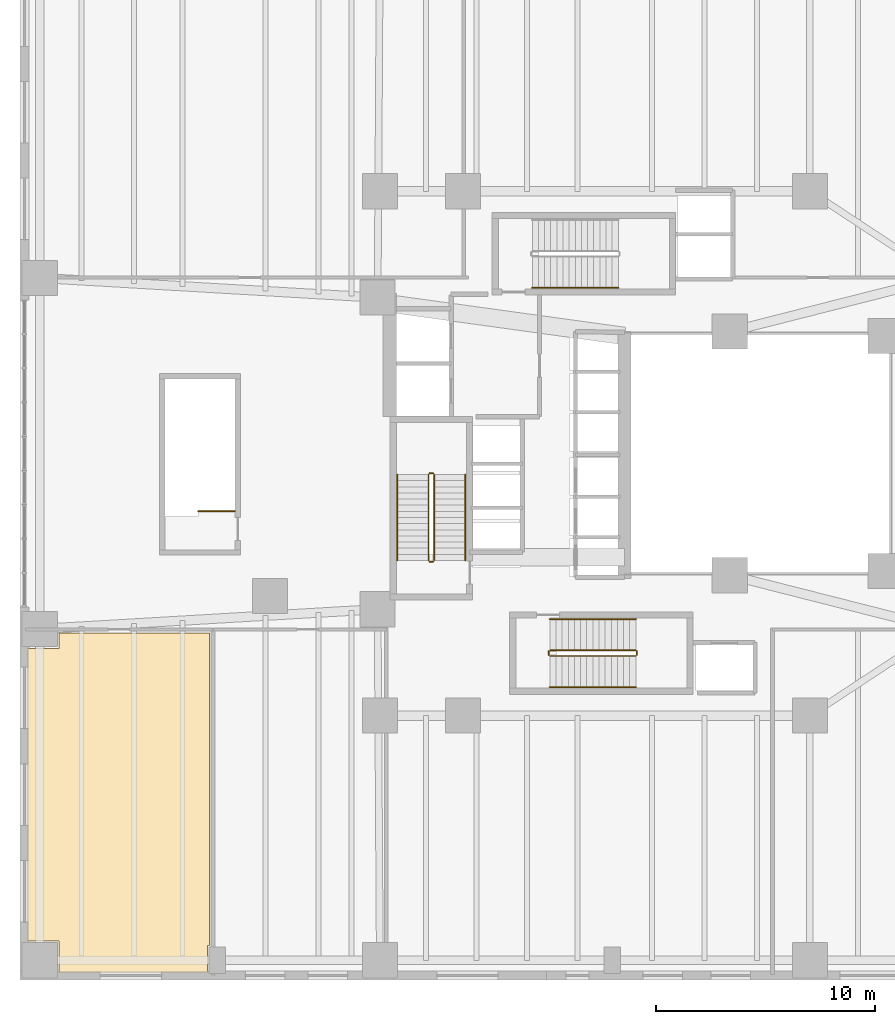
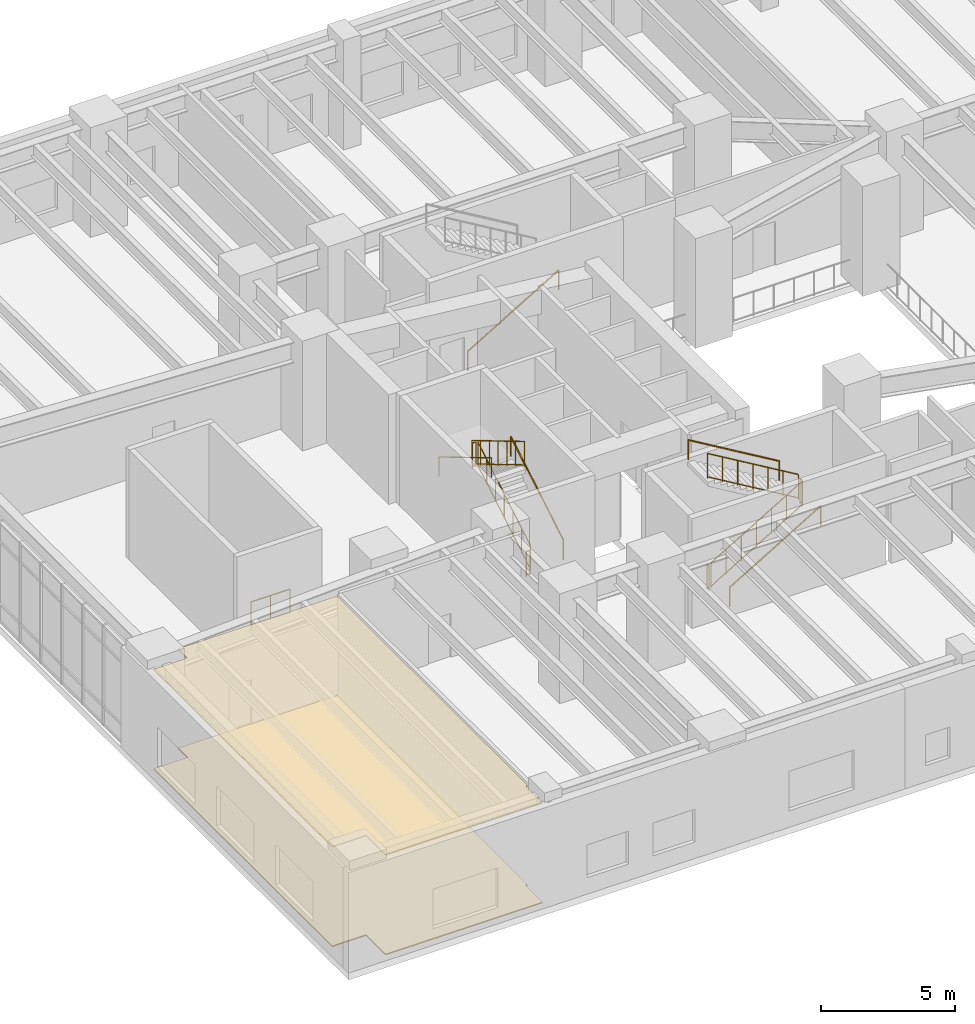
# One storey, part 17 of 18: 14 railings, 2 coverings.
"""IFC4 building model written with IfcOpenShell, lengths in metres."""

from ifc_helpers import new_model, si_unit, direction, frame, origin, origin_2d, place, context, subcontext, project, spatial, polyline, circle, outline, extrude, material, layer, layer_set, type_object, element, save


model = new_model("IFC4")

# Units and contexts
model_context = context("Model", 3, precision=1e-05, world=origin(), true_north=direction((0.0, 1.0)))
body_context = subcontext(model_context, "Body", "Model", "MODEL_VIEW")
ifc_project = project(units=[si_unit("LENGTHUNIT", "METRE"), si_unit("AREAUNIT", "SQUARE_METRE"), si_unit("VOLUMEUNIT", "CUBIC_METRE"), si_unit("PLANEANGLEUNIT", "RADIAN"), si_unit("MASSUNIT", "GRAM", prefix="KILO"), si_unit("THERMODYNAMICTEMPERATUREUNIT", "KELVIN"), si_unit("POWERUNIT", "WATT")], contexts=[model_context])

# Site, building, storey
site_placement = place(None, origin())
site = spatial("IfcSite", under=ifc_project, at=site_placement, CompositionType="ELEMENT")
building_placement = place(site_placement, origin())
building = spatial("IfcBuilding", under=site, at=building_placement, Name="Skarre Station Tower", CompositionType="ELEMENT")
storey_placement = place(building_placement, frame((0.0, 0.0, 16.0)))
storey = spatial("IfcBuildingStorey", under=building, at=storey_placement, Name="L04", CompositionType="ELEMENT", Elevation=16.0)

# Coverings
ifc_material_1 = material(Name="Honed Jura Limestone & Calcium-Sulfate Access Tile", Category="masonry")
ifc_layer_1 = layer(ifc_material_1, 0.050048828125, Name="Honed Jura Limestone & Calcium-Sulfate Access Tile")
ifc_layer_set_1 = layer_set([ifc_layer_1], Name="Honed Jura Limestone & Calcium-Sulfate Access Tile")
covering_type_1 = type_object("IfcCoveringType", Name="Honed Limestone & Raised Access Floor Finish 50", PredefinedType="FLOORING", material=ifc_layer_set_1)
covering_1_placement = place(storey_placement, origin())
element("IfcCovering", 1, at=covering_1_placement, inside=storey, type_object=covering_type_1, Name="L04 Limestone Access Flooring 1", PredefinedType="FLOORING", context=body_context, shape_type="SweptSolid", body=[
    extrude(outline(polyline([(1.780029296875, 0.320068359375), (8.544921875, 0.320068359375), (8.544921875, 1.580078125), (8.634033203125, 1.580078125), (8.634033203125, 15.820068359375), (1.780029296875, 15.820068359375), (1.780029296875, 15.1201171875), (0.320068359375, 15.1201171875), (0.320068359375, 1.780029296875), (1.780029296875, 1.780029296875), (1.780029296875, 0.320068359375)])), origin(), (0.0, 0.0, 1.0), 0.050048828125),
])
ifc_material_2 = material(Name="Perforated Nordic Birch Veneer & Mineral Wool", Category="wood")
ifc_layer_2 = layer(ifc_material_2, 0.044921875, Name="Perforated Nordic Birch Veneer & Mineral Wool")
ifc_layer_set_2 = layer_set([ifc_layer_2], Name="Perforated Nordic Birch Veneer & Mineral Wool")
covering_type_2 = type_object("IfcCoveringType", Name="Nordic Birch Slatted Acoustic Suspended Ceiling 45", PredefinedType="CEILING", material=ifc_layer_set_2)
covering_2_placement = place(storey_placement, frame((0.0, 0.0, 4.534912109375)))
element("IfcCovering", 2, at=covering_2_placement, inside=storey, type_object=covering_type_2, Name="L04 Acoustic Birch Ceiling 1", PredefinedType="CEILING", context=body_context, shape_type="SweptSolid", body=[
    extrude(outline(polyline([(1.780029296875, 0.320068359375), (8.544921875, 0.320068359375), (8.544921875, 1.580078125), (8.634033203125, 1.580078125), (8.634033203125, 15.820068359375), (1.780029296875, 15.820068359375), (1.780029296875, 15.1201171875), (0.320068359375, 15.1201171875), (0.320068359375, 1.780029296875), (1.780029296875, 1.780029296875), (1.780029296875, 0.320068359375)])), origin(), (0.0, 0.0, 1.0), 0.045166015625),
])

# Railings
ifc_material_3 = material(Name="Powder-Coated Tubular Steel", Category="steel")
railing_type_1 = type_object("IfcRailingType", Name="Painted Steel Ramp & Stair Handrail 920", PredefinedType="HANDRAIL", material=ifc_material_3)
railing_1_placement = place(storey_placement, frame((20.300048828125, 19.1201171875, 0.166748046875)))
element("IfcRailing", 3, at=railing_1_placement, inside=storey, type_object=railing_type_1, Name="L04 ST-1 stair handrail 1", PredefinedType="HANDRAIL", context=body_context, shape_type="SweptSolid", body=[
    extrude(circle(Radius=0.02392578125, at=origin_2d()), frame((0.0, 0.0, 0.8759765625), z_axis=(0.0, 0.859296244711, 0.511478214419), x_axis=(-1.0, 0.0, 0.0)), (0.0, 0.0, 1.0), 4.561767578125),
    extrude(circle(Radius=0.02099609375, at=origin_2d()), origin(), (0.0, 0.0, 1.0), 0.851806640625),
    extrude(circle(Radius=0.02099609375, at=origin_2d()), frame((0.0, 3.919921875, 2.333251953125)), (0.0, 0.0, 1.0), 0.851806640625),
])
railing_2_placement = place(storey_placement, frame((17.199951171875, 23.0400390625, 2.666748046875)))
element("IfcRailing", 4, at=railing_2_placement, inside=storey, type_object=railing_type_1, Name="L04 ST-1 stair handrail 2", PredefinedType="HANDRAIL", context=body_context, shape_type="SweptSolid", body=[
    extrude(circle(Radius=0.02392578125, at=origin_2d()), frame((0.0, 0.0, 0.8759765625), z_axis=(0.0, -0.859296244711, 0.511478214419), x_axis=(1.0, 0.0, 0.0)), (0.0, 0.0, 1.0), 4.561767578125),
    extrude(circle(Radius=0.02099609375, at=origin_2d()), origin(), (0.0, 0.0, 1.0), 0.851806640625),
    extrude(circle(Radius=0.02099609375, at=origin_2d()), frame((0.0, -3.919921875, 2.333251953125)), (0.0, 0.0, 1.0), 0.851806640625),
])
railing_3_placement = place(storey_placement, frame((24.14990234375, 13.35009765625, 0.166748046875)))
element("IfcRailing", 5, at=railing_3_placement, inside=storey, type_object=railing_type_1, Name="L04 ST-2 stair handrail 1", PredefinedType="HANDRAIL", context=body_context, shape_type="SweptSolid", body=[
    extrude(circle(Radius=0.02392578125, at=origin_2d()), frame((0.0, 0.0, 0.8759765625), z_axis=(0.859310244771, 0.0, 0.511454693235), x_axis=(0.0, 1.0, 0.0)), (0.0, 0.0, 1.0), 4.56201171875),
    extrude(circle(Radius=0.02099609375, at=origin_2d()), origin(), (0.0, 0.0, 1.0), 0.851806640625),
    extrude(circle(Radius=0.02099609375, at=origin_2d()), frame((3.920166015625, 0.0, 2.333251953125)), (0.0, 0.0, 1.0), 0.851806640625),
])
railing_4_placement = place(storey_placement, frame((28.070068359375, 16.449951171875, 2.666748046875)))
element("IfcRailing", 6, at=railing_4_placement, inside=storey, type_object=railing_type_1, Name="L04 ST-2 stair handrail 2", PredefinedType="HANDRAIL", context=body_context, shape_type="SweptSolid", body=[
    extrude(circle(Radius=0.02392578125, at=origin_2d()), frame((0.0, 0.0, 0.8759765625), z_axis=(-0.859310244771, 0.0, 0.511454693235), x_axis=(0.0, -1.0, 0.0)), (0.0, 0.0, 1.0), 4.56201171875),
    extrude(circle(Radius=0.02099609375, at=origin_2d()), origin(), (0.0, 0.0, 1.0), 0.851806640625),
    extrude(circle(Radius=0.02099609375, at=origin_2d()), frame((-3.920166015625, 0.0, 2.333251953125)), (0.0, 0.0, 1.0), 0.851806640625),
])
railing_5_placement = place(storey_placement, frame((23.35009765625, 31.550048828125, 0.166748046875)))
element("IfcRailing", 7, at=railing_5_placement, inside=storey, type_object=railing_type_1, Name="L04 ST-3 stair handrail 1", PredefinedType="HANDRAIL", context=body_context, shape_type="SweptSolid", body=[
    extrude(circle(Radius=0.02392578125, at=origin_2d()), frame((0.0, 0.0, 0.8759765625), z_axis=(0.859296244711, 0.0, 0.511478214419), x_axis=(0.0, 1.0, 0.0)), (0.0, 0.0, 1.0), 4.561767578125),
    extrude(circle(Radius=0.02099609375, at=origin_2d()), origin(), (0.0, 0.0, 1.0), 0.851806640625),
    extrude(circle(Radius=0.02099609375, at=origin_2d()), frame((3.919921875, 0.0, 2.333251953125)), (0.0, 0.0, 1.0), 0.851806640625),
])
railing_type_2 = type_object("IfcRailingType", Name="Painted Steel Stairwell Guardrail 1100", PredefinedType="GUARDRAIL", material=ifc_material_3)
railing_6_placement = place(storey_placement, frame((18.8798828125, 19.1201171875, 0.166748046875)))
element("IfcRailing", 8, at=railing_6_placement, inside=storey, type_object=railing_type_2, Name="L04 ST-1 stair guard 1", PredefinedType="GUARDRAIL", context=body_context, shape_type="SweptSolid", body=[
    extrude(circle(Radius=0.02392578125, at=origin_2d()), frame((0.0, 0.0, 1.1259765625), z_axis=(0.0, 0.859296244711, 0.511478214419), x_axis=(-1.0, 0.0, 0.0)), (0.0, 0.0, 1.0), 4.561767578125),
    extrude(circle(Radius=0.02099609375, at=origin_2d()), frame((0.0, 0.0, 0.06005859375), z_axis=(0.0, 0.859296244711, 0.511478214419), x_axis=(-1.0, 0.0, 0.0)), (0.0, 0.0, 1.0), 4.561767578125),
    extrude(circle(Radius=0.02099609375, at=origin_2d()), origin(), (0.0, 0.0, 1.0), 1.101806640625),
    extrude(circle(Radius=0.02099609375, at=origin_2d()), frame((0.0, 0.6533203125, 0.388916015625)), (0.0, 0.0, 1.0), 1.101806640625),
    extrude(circle(Radius=0.02099609375, at=origin_2d()), frame((0.0, 1.306640625, 0.77783203125)), (0.0, 0.0, 1.0), 1.101806640625),
    extrude(circle(Radius=0.02099609375, at=origin_2d()), frame((0.0, 1.9599609375, 1.16650390625)), (0.0, 0.0, 1.0), 1.101806640625),
    extrude(circle(Radius=0.02099609375, at=origin_2d()), frame((0.0, 2.61328125, 1.555419921875)), (0.0, 0.0, 1.0), 1.101806640625),
    extrude(circle(Radius=0.02099609375, at=origin_2d()), frame((0.0, 3.2666015625, 1.9443359375)), (0.0, 0.0, 1.0), 1.101806640625),
    extrude(circle(Radius=0.02099609375, at=origin_2d()), frame((0.0, 3.919921875, 2.333251953125)), (0.0, 0.0, 1.0), 1.101806640625),
])
railing_7_placement = place(storey_placement, frame((18.830078125, 23.090087890625, 2.5)))
element("IfcRailing", 9, at=railing_7_placement, inside=storey, type_object=railing_type_2, Name="L04 ST-1 stair guard 2", PredefinedType="GUARDRAIL", context=body_context, shape_type="SweptSolid", body=[
    extrude(circle(Radius=0.02392578125, at=origin_2d()), frame((0.0, 0.0, 1.1259765625), z_axis=(-1.0, 0.0, 0.0), x_axis=(0.0, -1.0, 0.0)), (0.0, 0.0, 1.0), 0.16015625),
    extrude(circle(Radius=0.02099609375, at=origin_2d()), frame((0.0, 0.0, 0.06005859375), z_axis=(-1.0, 0.0, 0.0), x_axis=(0.0, -1.0, 0.0)), (0.0, 0.0, 1.0), 0.16015625),
    extrude(circle(Radius=0.02099609375, at=origin_2d()), origin(), (0.0, 0.0, 1.0), 1.101806640625),
    extrude(circle(Radius=0.02099609375, at=origin_2d()), frame((-0.16015625, 0.0, 0.0)), (0.0, 0.0, 1.0), 1.101806640625),
])
railing_8_placement = place(storey_placement, frame((18.6201171875, 23.0400390625, 2.666748046875)))
element("IfcRailing", 10, at=railing_8_placement, inside=storey, type_object=railing_type_2, Name="L04 ST-1 stair guard 3", PredefinedType="GUARDRAIL", context=body_context, shape_type="SweptSolid", body=[
    extrude(circle(Radius=0.02392578125, at=origin_2d()), frame((0.0, 0.0, 1.1259765625), z_axis=(0.0, -0.859296244711, 0.511478214419), x_axis=(1.0, 0.0, 0.0)), (0.0, 0.0, 1.0), 4.561767578125),
    extrude(circle(Radius=0.02099609375, at=origin_2d()), frame((0.0, 0.0, 0.06005859375), z_axis=(0.0, -0.859296244711, 0.511478214419), x_axis=(1.0, 0.0, 0.0)), (0.0, 0.0, 1.0), 4.561767578125),
    extrude(circle(Radius=0.02099609375, at=origin_2d()), origin(), (0.0, 0.0, 1.0), 1.101806640625),
    extrude(circle(Radius=0.02099609375, at=origin_2d()), frame((0.0, -0.6533203125, 0.388916015625)), (0.0, 0.0, 1.0), 1.101806640625),
    extrude(circle(Radius=0.02099609375, at=origin_2d()), frame((0.0, -1.306640625, 0.77783203125)), (0.0, 0.0, 1.0), 1.101806640625),
    extrude(circle(Radius=0.02099609375, at=origin_2d()), frame((0.0, -1.9599609375, 1.16650390625)), (0.0, 0.0, 1.0), 1.101806640625),
    extrude(circle(Radius=0.02099609375, at=origin_2d()), frame((0.0, -2.61328125, 1.555419921875)), (0.0, 0.0, 1.0), 1.101806640625),
    extrude(circle(Radius=0.02099609375, at=origin_2d()), frame((0.0, -3.2666015625, 1.9443359375)), (0.0, 0.0, 1.0), 1.101806640625),
    extrude(circle(Radius=0.02099609375, at=origin_2d()), frame((0.0, -3.919921875, 2.333251953125)), (0.0, 0.0, 1.0), 1.101806640625),
])
railing_9_placement = place(storey_placement, frame((18.830078125, 19.070068359375, 0.0)))
element("IfcRailing", 11, at=railing_9_placement, inside=storey, type_object=railing_type_2, Name="L04 ST-1 stair guard 4", PredefinedType="GUARDRAIL", context=body_context, shape_type="SweptSolid", body=[
    extrude(circle(Radius=0.02392578125, at=origin_2d()), frame((0.0, 0.0, 1.1259765625), z_axis=(-1.0, 0.0, 0.0), x_axis=(0.0, -1.0, 0.0)), (0.0, 0.0, 1.0), 0.16015625),
    extrude(circle(Radius=0.02099609375, at=origin_2d()), frame((0.0, 0.0, 0.06005859375), z_axis=(-1.0, 0.0, 0.0), x_axis=(0.0, -1.0, 0.0)), (0.0, 0.0, 1.0), 0.16015625),
    extrude(circle(Radius=0.02099609375, at=origin_2d()), origin(), (0.0, 0.0, 1.0), 1.101806640625),
    extrude(circle(Radius=0.02099609375, at=origin_2d()), frame((-0.16015625, 0.0, 0.0)), (0.0, 0.0, 1.0), 1.101806640625),
])
railing_10_placement = place(storey_placement, frame((24.14990234375, 14.77001953125, 0.166748046875)))
element("IfcRailing", 12, at=railing_10_placement, inside=storey, type_object=railing_type_2, Name="L04 ST-2 stair guard 1", PredefinedType="GUARDRAIL", context=body_context, shape_type="SweptSolid", body=[
    extrude(circle(Radius=0.02392578125, at=origin_2d()), frame((0.0, 0.0, 1.1259765625), z_axis=(0.859310244771, 0.0, 0.511454693235), x_axis=(0.0, 1.0, 0.0)), (0.0, 0.0, 1.0), 4.56201171875),
    extrude(circle(Radius=0.02099609375, at=origin_2d()), frame((0.0, 0.0, 0.06005859375), z_axis=(0.859310244771, 0.0, 0.511454693235), x_axis=(0.0, 1.0, 0.0)), (0.0, 0.0, 1.0), 4.56201171875),
    extrude(circle(Radius=0.02099609375, at=origin_2d()), origin(), (0.0, 0.0, 1.0), 1.101806640625),
    extrude(circle(Radius=0.02099609375, at=origin_2d()), frame((0.6533203125, 0.0, 0.388916015625)), (0.0, 0.0, 1.0), 1.101806640625),
    extrude(circle(Radius=0.02099609375, at=origin_2d()), frame((1.306640625, 0.0, 0.77783203125)), (0.0, 0.0, 1.0), 1.101806640625),
    extrude(circle(Radius=0.02099609375, at=origin_2d()), frame((1.9599609375, 0.0, 1.16650390625)), (0.0, 0.0, 1.0), 1.101806640625),
    extrude(circle(Radius=0.02099609375, at=origin_2d()), frame((2.613525390625, 0.0, 1.555419921875)), (0.0, 0.0, 1.0), 1.101806640625),
    extrude(circle(Radius=0.02099609375, at=origin_2d()), frame((3.266845703125, 0.0, 1.9443359375)), (0.0, 0.0, 1.0), 1.101806640625),
    extrude(circle(Radius=0.02099609375, at=origin_2d()), frame((3.920166015625, 0.0, 2.333251953125)), (0.0, 0.0, 1.0), 1.101806640625),
])
railing_11_placement = place(storey_placement, frame((28.1201171875, 14.820068359375, 2.5)))
element("IfcRailing", 13, at=railing_11_placement, inside=storey, type_object=railing_type_2, Name="L04 ST-2 stair guard 2", PredefinedType="GUARDRAIL", context=body_context, shape_type="SweptSolid", body=[
    extrude(circle(Radius=0.02392578125, at=origin_2d()), frame((0.0, 0.0, 1.1259765625), z_axis=(0.0, 1.0, 0.0), x_axis=(-1.0, 0.0, 0.0)), (0.0, 0.0, 1.0), 0.159912109375),
    extrude(circle(Radius=0.02099609375, at=origin_2d()), frame((0.0, 0.0, 0.06005859375), z_axis=(0.0, 1.0, 0.0), x_axis=(-1.0, 0.0, 0.0)), (0.0, 0.0, 1.0), 0.159912109375),
    extrude(circle(Radius=0.02099609375, at=origin_2d()), origin(), (0.0, 0.0, 1.0), 1.101806640625),
    extrude(circle(Radius=0.02099609375, at=origin_2d()), frame((0.0, 0.159912109375, 0.0)), (0.0, 0.0, 1.0), 1.101806640625),
])
railing_12_placement = place(storey_placement, frame((28.070068359375, 15.030029296875, 2.666748046875)))
element("IfcRailing", 14, at=railing_12_placement, inside=storey, type_object=railing_type_2, Name="L04 ST-2 stair guard 3", PredefinedType="GUARDRAIL", context=body_context, shape_type="SweptSolid", body=[
    extrude(circle(Radius=0.02392578125, at=origin_2d()), frame((0.0, 0.0, 1.1259765625), z_axis=(-0.859310244771, 0.0, 0.511454693235), x_axis=(0.0, -1.0, 0.0)), (0.0, 0.0, 1.0), 4.56201171875),
    extrude(circle(Radius=0.02099609375, at=origin_2d()), frame((0.0, 0.0, 0.06005859375), z_axis=(-0.859310244771, 0.0, 0.511454693235), x_axis=(0.0, -1.0, 0.0)), (0.0, 0.0, 1.0), 4.56201171875),
    extrude(circle(Radius=0.02099609375, at=origin_2d()), origin(), (0.0, 0.0, 1.0), 1.101806640625),
    extrude(circle(Radius=0.02099609375, at=origin_2d()), frame((-0.6533203125, 0.0, 0.388916015625)), (0.0, 0.0, 1.0), 1.101806640625),
    extrude(circle(Radius=0.02099609375, at=origin_2d()), frame((-1.306640625, 0.0, 0.77783203125)), (0.0, 0.0, 1.0), 1.101806640625),
    extrude(circle(Radius=0.02099609375, at=origin_2d()), frame((-1.9599609375, 0.0, 1.16650390625)), (0.0, 0.0, 1.0), 1.101806640625),
    extrude(circle(Radius=0.02099609375, at=origin_2d()), frame((-2.613525390625, 0.0, 1.555419921875)), (0.0, 0.0, 1.0), 1.101806640625),
    extrude(circle(Radius=0.02099609375, at=origin_2d()), frame((-3.266845703125, 0.0, 1.9443359375)), (0.0, 0.0, 1.0), 1.101806640625),
    extrude(circle(Radius=0.02099609375, at=origin_2d()), frame((-3.920166015625, 0.0, 2.333251953125)), (0.0, 0.0, 1.0), 1.101806640625),
])
railing_13_placement = place(storey_placement, frame((24.10009765625, 14.820068359375, 0.0)))
element("IfcRailing", 15, at=railing_13_placement, inside=storey, type_object=railing_type_2, Name="L04 ST-2 stair guard 4", PredefinedType="GUARDRAIL", context=body_context, shape_type="SweptSolid", body=[
    extrude(circle(Radius=0.02392578125, at=origin_2d()), frame((0.0, 0.0, 1.1259765625), z_axis=(0.0, 1.0, 0.0), x_axis=(-1.0, 0.0, 0.0)), (0.0, 0.0, 1.0), 0.159912109375),
    extrude(circle(Radius=0.02099609375, at=origin_2d()), frame((0.0, 0.0, 0.06005859375), z_axis=(0.0, 1.0, 0.0), x_axis=(-1.0, 0.0, 0.0)), (0.0, 0.0, 1.0), 0.159912109375),
    extrude(circle(Radius=0.02099609375, at=origin_2d()), origin(), (0.0, 0.0, 1.0), 1.101806640625),
    extrude(circle(Radius=0.02099609375, at=origin_2d()), frame((0.0, 0.159912109375, 0.0)), (0.0, 0.0, 1.0), 1.101806640625),
])
railing_14_placement = place(storey_placement, frame((9.800048828125, 21.360107421875, 0.0)))
element("IfcRailing", 16, at=railing_14_placement, inside=storey, type_object=railing_type_2, Name="L04 ST-4 top well guard 1", PredefinedType="GUARDRAIL", context=body_context, shape_type="SweptSolid", body=[
    extrude(circle(Radius=0.02392578125, at=origin_2d()), frame((0.0, 0.0, 1.1259765625), z_axis=(-1.0, 0.0, 0.0), x_axis=(0.0, -1.0, 0.0)), (0.0, 0.0, 1.0), 1.679931640625),
    extrude(circle(Radius=0.02099609375, at=origin_2d()), frame((0.0, 0.0, 0.06005859375), z_axis=(-1.0, 0.0, 0.0), x_axis=(0.0, -1.0, 0.0)), (0.0, 0.0, 1.0), 1.679931640625),
    extrude(circle(Radius=0.02099609375, at=origin_2d()), origin(), (0.0, 0.0, 1.0), 1.101806640625),
    extrude(circle(Radius=0.02099609375, at=origin_2d()), frame((-0.83984375, 0.0, 0.0)), (0.0, 0.0, 1.0), 1.101806640625),
    extrude(circle(Radius=0.02099609375, at=origin_2d()), frame((-1.679931640625, 0.0, 0.0)), (0.0, 0.0, 1.0), 1.101806640625),
])

save(model, "model.ifc")
